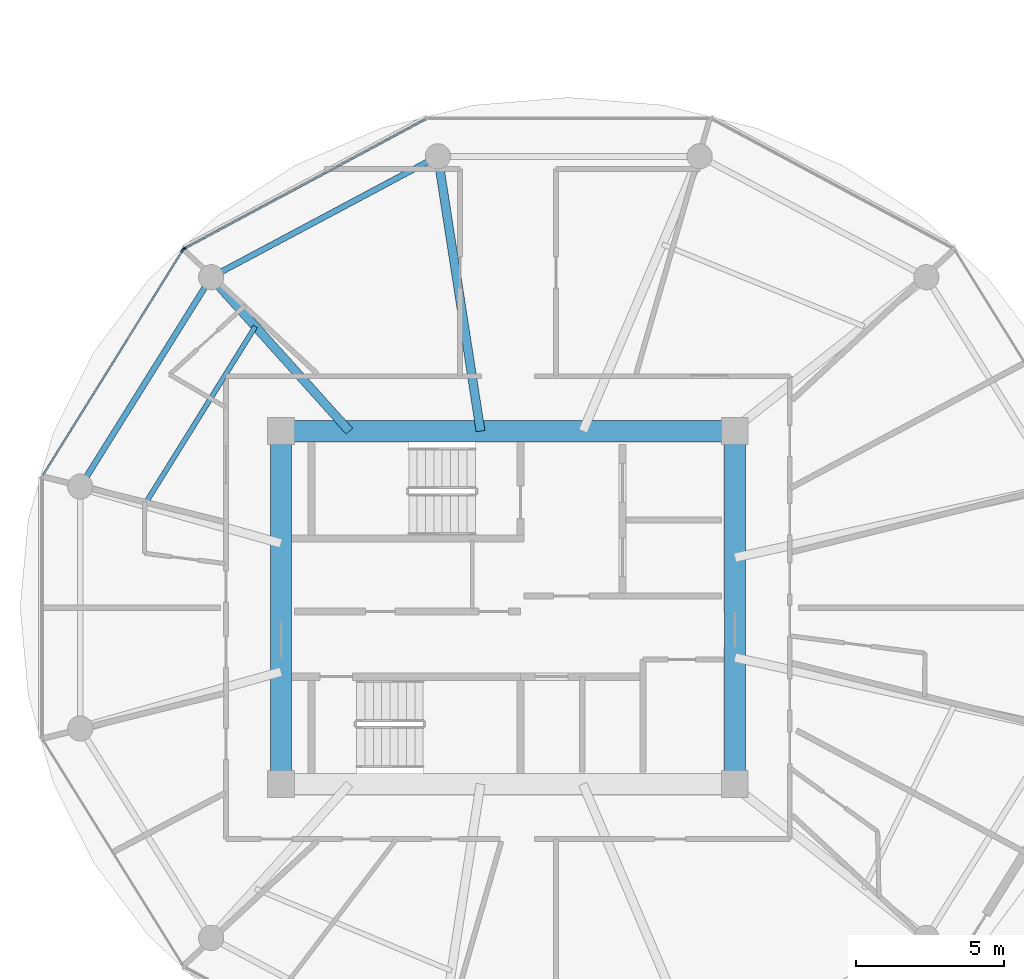
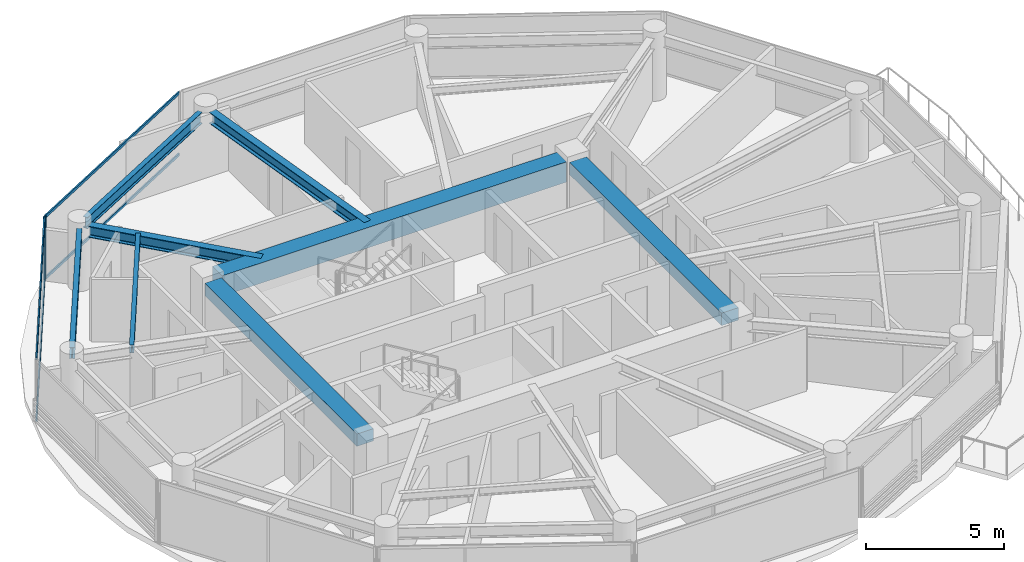
# One storey, part 4 of 22: 8 beams, 6 members, 2 elements without a shape of their own.
"""IFC4 building model written with IfcOpenShell, lengths in metres."""

from ifc_helpers import new_model, si_unit, direction, frame, origin, origin_2d, place, context, subcontext, project, spatial, rectangle, i_section, extrude, source, transform, mapped, material, layer, layer_set, material_profile, profile_set, type_object, type_shapes, element, aggregate, save


model = new_model("IFC4")

# Units and contexts
model_context = context("Model", 3, precision=1e-05, world=origin(), true_north=direction((0.0, 1.0)))
body_context = subcontext(model_context, "Body", "Model", "MODEL_VIEW")
ifc_project = project(units=[si_unit("LENGTHUNIT", "METRE"), si_unit("AREAUNIT", "SQUARE_METRE"), si_unit("VOLUMEUNIT", "CUBIC_METRE"), si_unit("PLANEANGLEUNIT", "RADIAN"), si_unit("MASSUNIT", "GRAM", prefix="KILO")], contexts=[model_context])

# Site, building, storey
site_placement = place(None, origin())
site = spatial("IfcSite", under=ifc_project, at=site_placement, CompositionType="ELEMENT")
building_placement = place(site_placement, origin())
building = spatial("IfcBuilding", under=site, at=building_placement, Name="Norrkilde Senior Care Towers", CompositionType="ELEMENT")
storey_placement = place(building_placement, frame((0.0, 0.0, 120.64990234375)))
storey = spatial("IfcBuildingStorey", under=building, at=storey_placement, Name="L37", CompositionType="ELEMENT", Elevation=120.64990234375)

# Beams
ifc_material_1 = material(Name="Concrete C60/75", Category="concrete")
ifc_material_profile_1 = material_profile(ifc_material_1, rectangle(XDim=0.699951171875, YDim=0.89990234375, at=origin_2d()), Name="RC BM 700x900")
ifc_profile_set_1 = profile_set([ifc_material_profile_1], Name="Concrete C60/75")
beam_type_1 = type_object("IfcBeamType", Name="Core Coupling Girder 700x900", PredefinedType="USERDEFINED", material=ifc_profile_set_1)
shared_shape_1 = source(origin(), body_context, "Body", "SweptSolid", [
    extrude(rectangle(XDim=0.699951171875, YDim=0.89990234375, at=origin_2d()), origin(), (0.0, 0.0, 1.0), 14.43994140625),
])
type_shapes(beam_type_1, [shared_shape_1])
beam_1_placement = place(storey_placement, frame((-35.219970703125, 5.949951171875, 2.340087890625), z_axis=(1.0, 0.0, 0.0), x_axis=(0.0, 1.0, 0.0)))
element("IfcBeam", 1, at=beam_1_placement, inside=storey, type_object=beam_type_1, Name="L37 Core W N Coupling Girder", ObjectType="GIRDER", PredefinedType="USERDEFINED", context=body_context, shape_type="MappedRepresentation", body=[
    mapped(shared_shape_1, transform((0.0, 0.0, 0.0), x_axis=(1.0, 0.0, 0.0), y_axis=(0.0, 1.0, 0.0), z_axis=(0.0, 0.0, 1.0), scale=1.0)),
])
ifc_material_profile_2 = material_profile(ifc_material_1, rectangle(XDim=0.699951171875, YDim=0.550048828125, at=origin_2d()), Name="RC BM 700x550")
ifc_profile_set_2 = profile_set([ifc_material_profile_2], Name="Concrete C60/75")
beam_type_2 = type_object("IfcBeamType", Name="Core Portal Coupling Beam 700x550", PredefinedType="USERDEFINED", material=ifc_profile_set_2)
shared_shape_2 = source(origin(), body_context, "Body", "SweptSolid", [
    extrude(rectangle(XDim=0.699951171875, YDim=0.550048828125, at=origin_2d()), origin(), (0.0, 0.0, 1.0), 11.0400390625),
])
type_shapes(beam_type_2, [shared_shape_2])
for number, where, z_axis, x_axis, name in (
    (2, (-35.64990234375, -5.52001953125, 2.51513671875), (0.0, 1.0, 0.0), (-1.0, 0.0, 0.0), "L37 Core W W Coupling Girder"),
    (3, (-20.35009765625, -5.52001953125, 2.51513671875), (0.0, 1.0, 0.0), (-1.0, 0.0, 0.0), "L37 Core W E Coupling Girder"),
):
    element("IfcBeam", number, at=place(storey_placement, frame(where, z_axis=z_axis, x_axis=x_axis)), inside=storey, type_object=beam_type_2, Name=name, ObjectType="GIRDER", PredefinedType="USERDEFINED", context=body_context, shape_type="MappedRepresentation", body=[
        mapped(shared_shape_2, transform((0.0, 0.0, 0.0), x_axis=(1.0, 0.0, 0.0), y_axis=(0.0, 1.0, 0.0), z_axis=(0.0, 0.0, 1.0), scale=1.0)),
    ])
ifc_material_2 = material(Name="Steel S355", Category="steel")
ifc_material_profile_3 = material_profile(ifc_material_2, i_section(OverallWidth=0.199951171875, OverallDepth=0.5, WebThickness=0.01025390625, FlangeThickness=0.01611328125, FilletRadius=0.02099609375, at=origin_2d()), Name="IPE 500")
ifc_profile_set_3 = profile_set([ifc_material_profile_3], Name="Steel S355")
beam_type_3 = type_object("IfcBeamType", Name="Perimeter Ring Spandrel Z2 IPE500", PredefinedType="SPANDREL", material=ifc_profile_set_3)
shared_shape_3 = source(origin(), body_context, "Body", "SweptSolid", [
    extrude(i_section(OverallWidth=0.199951171875, OverallDepth=0.5, WebThickness=0.01025390625, FlangeThickness=0.01611328125, FilletRadius=0.02099609375, at=origin_2d()), origin(), (0.0, 0.0, 1.0), 7.892333984375),
])
beam_2_placement = place(storey_placement, frame((-30.70263671875, 15.0322265625, 2.5400390625), z_axis=(-0.882350372282, -0.47059305194, 0.0), x_axis=(0.47059305194, -0.882350372282, 0.0)))
element("IfcBeam", 4, at=beam_2_placement, inside=storey, type_object=beam_type_3, Name="L37 Drum W Perimeter Spandrel 04", PredefinedType="SPANDREL", context=body_context, shape_type="MappedRepresentation", body=[
    mapped(shared_shape_3, transform((0.0, 0.0, 0.0), x_axis=(1.0, 0.0, 0.0), y_axis=(0.0, 1.0, 0.0), z_axis=(0.0, 0.0, 1.0), scale=1.0)),
])
ifc_material_profile_4 = material_profile(ifc_material_2, i_section(OverallWidth=0.300048828125, OverallDepth=0.5, WebThickness=0.014404296875, FlangeThickness=0.028076171875, FilletRadius=0.027099609375, at=origin_2d()), Name="HEB 500")
ifc_profile_set_4 = profile_set([ifc_material_profile_4], Name="Steel S355")
beam_type_4 = type_object("IfcBeamType", Name="Radial Floor Beam Z2 HEB500", PredefinedType="BEAM", material=ifc_profile_set_4)
shared_shape_4 = source(origin(), body_context, "Body", "SweptSolid", [
    extrude(i_section(OverallWidth=0.300048828125, OverallDepth=0.5, WebThickness=0.014404296875, FlangeThickness=0.028076171875, FilletRadius=0.027099609375, at=origin_2d()), origin(), (0.0, 0.0, 1.0), 8.989501953125),
])
beam_3_placement = place(storey_placement, frame((-28.924072265625, 5.949951171875, 2.5400390625), z_axis=(-0.153471298636, 0.988153105796, 0.0), x_axis=(-0.988153105796, -0.153471298636, 0.0)))
element("IfcBeam", 5, at=beam_3_placement, inside=storey, type_object=beam_type_4, Name="L37 Drum W Radial Floor Beam 04", PredefinedType="BEAM", context=body_context, shape_type="MappedRepresentation", body=[
    mapped(shared_shape_4, transform((0.0, 0.0, 0.0), x_axis=(1.0, 0.0, 0.0), y_axis=(0.0, 1.0, 0.0), z_axis=(0.0, 0.0, 1.0), scale=1.0)),
])
shared_shape_5 = source(origin(), body_context, "Body", "SweptSolid", [
    extrude(i_section(OverallWidth=0.199951171875, OverallDepth=0.5, WebThickness=0.01025390625, FlangeThickness=0.01611328125, FilletRadius=0.02099609375, at=origin_2d()), origin(), (0.0, 0.0, 1.0), 7.556396484375),
])
type_shapes(beam_type_3, [shared_shape_3, shared_shape_5])
beam_4_placement = place(storey_placement, frame((-38.210205078125, 10.810546875, 2.5400390625), z_axis=(-0.530004748437, -0.847994673706, 0.0), x_axis=(0.847994673706, -0.530004748437, 0.0)))
element("IfcBeam", 6, at=beam_4_placement, inside=storey, type_object=beam_type_3, Name="L37 Drum W Perimeter Spandrel 05", PredefinedType="SPANDREL", context=body_context, shape_type="MappedRepresentation", body=[
    mapped(shared_shape_5, transform((0.0, 0.0, 0.0), x_axis=(1.0, 0.0, 0.0), y_axis=(0.0, 1.0, 0.0), z_axis=(0.0, 0.0, 1.0), scale=1.0)),
])
shared_shape_6 = source(origin(), body_context, "Body", "SweptSolid", [
    extrude(i_section(OverallWidth=0.300048828125, OverallDepth=0.5, WebThickness=0.014404296875, FlangeThickness=0.028076171875, FilletRadius=0.027099609375, at=origin_2d()), origin(), (0.0, 0.0, 1.0), 6.587890625),
])
type_shapes(beam_type_4, [shared_shape_4, shared_shape_6])
beam_5_placement = place(storey_placement, frame((-33.345947265625, 5.949951171875, 2.5400390625), z_axis=(-0.668315438605, 0.743877997068, 0.0), x_axis=(-0.743877997068, -0.668315438605, 0.0)))
element("IfcBeam", 7, at=beam_5_placement, inside=storey, type_object=beam_type_4, Name="L37 Drum W Radial Floor Beam 05", PredefinedType="BEAM", context=body_context, shape_type="MappedRepresentation", body=[
    mapped(shared_shape_6, transform((0.0, 0.0, 0.0), x_axis=(1.0, 0.0, 0.0), y_axis=(0.0, 1.0, 0.0), z_axis=(0.0, 0.0, 1.0), scale=1.0)),
])
ifc_material_profile_5 = material_profile(ifc_material_2, i_section(OverallWidth=0.169921875, OverallDepth=0.360107421875, WebThickness=0.008056640625, FlangeThickness=0.0126953125, FilletRadius=0.01806640625, at=origin_2d()), Name="IPE 360")
ifc_profile_set_5 = profile_set([ifc_material_profile_5], Name="Steel S355")
beam_type_5 = type_object("IfcBeamType", Name="Secondary Floor Joist IPE360", PredefinedType="JOIST", material=ifc_profile_set_5)
shared_shape_7 = source(origin(), body_context, "Body", "SweptSolid", [
    extrude(i_section(OverallWidth=0.169921875, OverallDepth=0.360107421875, WebThickness=0.008056640625, FlangeThickness=0.0126953125, FilletRadius=0.01806640625, at=origin_2d()), origin(), (0.0, 0.0, 1.0), 7.080078125),
])
type_shapes(beam_type_5, [shared_shape_7])
beam_6_placement = place(storey_placement, frame((-36.514892578125, 9.47705078125, 2.610107421875), z_axis=(-0.527961009189, -0.849268610497, 0.0), x_axis=(0.849268610497, -0.527961009189, 0.0)))
element("IfcBeam", 8, at=beam_6_placement, inside=storey, type_object=beam_type_5, Name="L37 Drum W Secondary Floor Joist 2", PredefinedType="JOIST", context=body_context, shape_type="MappedRepresentation", body=[
    mapped(shared_shape_7, transform((0.0, 0.0, 0.0), x_axis=(1.0, 0.0, 0.0), y_axis=(0.0, 1.0, 0.0), z_axis=(0.0, 0.0, 1.0), scale=1.0)),
])

# Curtain wall, member
ifc_material_3 = material(Name="Triple Low-E Insulated Glazing", Category="glass")
ifc_layer = layer(ifc_material_3, 0.195068359375)
ifc_layer_set = layer_set([ifc_layer], Name="Triple Low-E Insulated Glazing")
curtain_wall_type = type_object("IfcCurtainWallType", Name="CW3 Zone 2 Assisted Living Curtain Wall", PredefinedType="NOTDEFINED", material=ifc_layer_set)
curtain_wall_1_placement = place(storey_placement, origin())
curtain_wall_1 = element("IfcCurtainWall", 9, at=curtain_wall_1_placement, inside=storey, type_object=curtain_wall_type, Name="L37 Drum W Curtain Wall 03", PredefinedType="NOTDEFINED")
ifc_material_4 = material(Name="Anodised Aluminium", Category="aluminium")
ifc_material_profile_6 = material_profile(ifc_material_4, rectangle(XDim=0.06494140625, YDim=0.159912109375, at=origin_2d()), Name="ALU MULL 65x160")
ifc_profile_set_6 = profile_set([ifc_material_profile_6], Name="Anodised Aluminium")
member_type_1 = type_object("IfcMemberType", Name="Curtain Wall Mullion Z1-Z2 65x160", PredefinedType="MULLION", material=ifc_profile_set_6)
shared_shape_8 = source(origin(), body_context, "Body", "SweptSolid", [
    extrude(rectangle(XDim=0.06494140625, YDim=0.159912109375, at=origin_2d()), origin(), (0.0, 0.0, 1.0), 2.7900390625),
])
type_shapes(member_type_1, [shared_shape_8])
member_1_placement = place(storey_placement, frame((-38.91796875, 12.0927734375, 0.0), z_axis=(0.0, 0.0, 1.0), x_axis=(-0.472769402511, 0.881186184668, 0.0)))
member_1 = element("IfcMember", 10, at=member_1_placement, type_object=member_type_1, Name="CW-3 mullion 1", PredefinedType="MULLION", context=body_context, shape_type="MappedRepresentation", body=[
    mapped(shared_shape_8, transform((0.0, 0.0, 0.0), x_axis=(1.0, 0.0, 0.0), y_axis=(0.0, 1.0, 0.0), z_axis=(0.0, 0.0, 1.0), scale=1.0)),
])

# Curtain wall, members
curtain_wall_2_placement = place(storey_placement, origin())
curtain_wall_2 = element("IfcCurtainWall", 11, at=curtain_wall_2_placement, inside=storey, type_object=curtain_wall_type, Name="L37 Drum W Curtain Wall 04", PredefinedType="NOTDEFINED")
member_2_placement = place(storey_placement, frame((-38.9638671875, 12.0498046875, 0.0), z_axis=(0.0, 0.0, 1.0), x_axis=(-0.849410171862, 0.527733228002, 0.0)))
member_2 = element("IfcMember", 12, at=member_2_placement, type_object=member_type_1, Name="CW-3 mullion 2", PredefinedType="MULLION", context=body_context, shape_type="MappedRepresentation", body=[
    mapped(shared_shape_8, transform((0.0, 0.0, 0.0), x_axis=(1.0, 0.0, 0.0), y_axis=(0.0, 1.0, 0.0), z_axis=(0.0, 0.0, 1.0), scale=1.0)),
])
ifc_material_profile_7 = material_profile(ifc_material_4, rectangle(XDim=0.06005859375, YDim=0.1201171875, at=origin_2d()), Name="ALU TRAN 60x120")
ifc_profile_set_7 = profile_set([ifc_material_profile_7], Name="Anodised Aluminium")
member_type_2 = type_object("IfcMemberType", Name="Curtain Wall Transom Typical 60x120", PredefinedType="USERDEFINED", material=ifc_profile_set_7)
shared_shape_9 = source(origin(), body_context, "Body", "SweptSolid", [
    extrude(rectangle(XDim=0.06005859375, YDim=0.1201171875, at=origin_2d()), origin(), (0.0, 0.0, 1.0), 8.88427734375),
])
member_3_placement = place(storey_placement, frame((-43.66943359375, 4.475830078125, 0.030029296875), z_axis=(0.527729466743, 0.849412508697, 0.0), x_axis=(-0.849412508697, 0.527729466743, 0.0)))
member_3 = element("IfcMember", 13, at=member_3_placement, type_object=member_type_2, Name="CW-3 transom 1.1", ObjectType="TRANSOM", PredefinedType="USERDEFINED", context=body_context, shape_type="MappedRepresentation", body=[
    mapped(shared_shape_9, transform((0.0, 0.0, 0.0), x_axis=(1.0, 0.0, 0.0), y_axis=(0.0, 1.0, 0.0), z_axis=(0.0, 0.0, 1.0), scale=1.0)),
])
member_4_placement = place(storey_placement, frame((-43.66943359375, 4.475830078125, 2.760009765625), z_axis=(0.527729466743, 0.849412508697, 0.0), x_axis=(-0.849412508697, 0.527729466743, 0.0)))
member_4 = element("IfcMember", 14, at=member_4_placement, type_object=member_type_2, Name="CW-3 transom 1.2", ObjectType="TRANSOM", PredefinedType="USERDEFINED", context=body_context, shape_type="MappedRepresentation", body=[
    mapped(shared_shape_9, transform((0.0, 0.0, 0.0), x_axis=(1.0, 0.0, 0.0), y_axis=(0.0, 1.0, 0.0), z_axis=(0.0, 0.0, 1.0), scale=1.0)),
])
aggregate(curtain_wall_2, [member_2, member_3, member_4])

# Member
shared_shape_10 = source(origin(), body_context, "Body", "SweptSolid", [
    extrude(rectangle(XDim=0.06005859375, YDim=0.1201171875, at=origin_2d()), origin(), (0.0, 0.0, 1.0), 9.220458984375),
])
type_shapes(member_type_2, [shared_shape_9, shared_shape_10])
member_5_placement = place(storey_placement, frame((-38.889404296875, 12.108154296875, 0.030029296875), z_axis=(0.881188517866, 0.472765053681, 0.0), x_axis=(-0.472765053681, 0.881188517866, 0.0)))
member_5 = element("IfcMember", 15, at=member_5_placement, type_object=member_type_2, Name="CW-3 transom 1.1", ObjectType="TRANSOM", PredefinedType="USERDEFINED", context=body_context, shape_type="MappedRepresentation", body=[
    mapped(shared_shape_10, transform((0.0, 0.0, 0.0), x_axis=(1.0, 0.0, 0.0), y_axis=(0.0, 1.0, 0.0), z_axis=(0.0, 0.0, 1.0), scale=1.0)),
])

member_6_placement = place(storey_placement, frame((-38.889404296875, 12.108154296875, 2.760009765625), z_axis=(0.881188517866, 0.472765053681, 0.0), x_axis=(-0.472765053681, 0.881188517866, 0.0)))
member_6 = element("IfcMember", 16, at=member_6_placement, type_object=member_type_2, Name="CW-3 transom 1.2", ObjectType="TRANSOM", PredefinedType="USERDEFINED", context=body_context, shape_type="MappedRepresentation", body=[
    mapped(shared_shape_10, transform((0.0, 0.0, 0.0), x_axis=(1.0, 0.0, 0.0), y_axis=(0.0, 1.0, 0.0), z_axis=(0.0, 0.0, 1.0), scale=1.0)),
])

aggregate(curtain_wall_1, [member_1, member_5, member_6])

save(model, "model.ifc")
